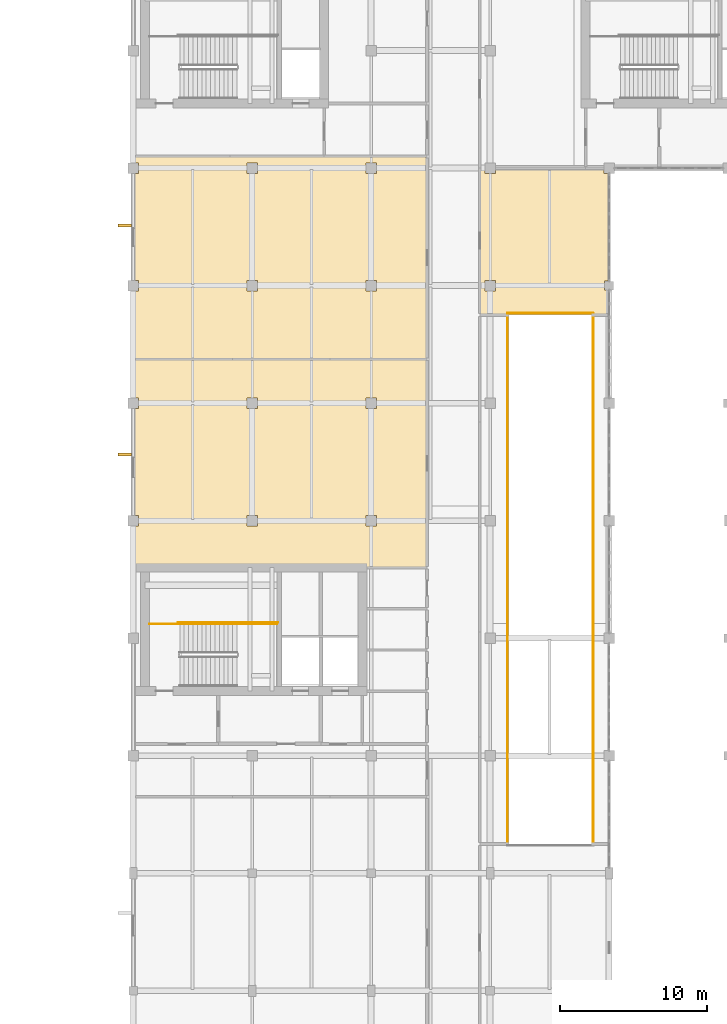
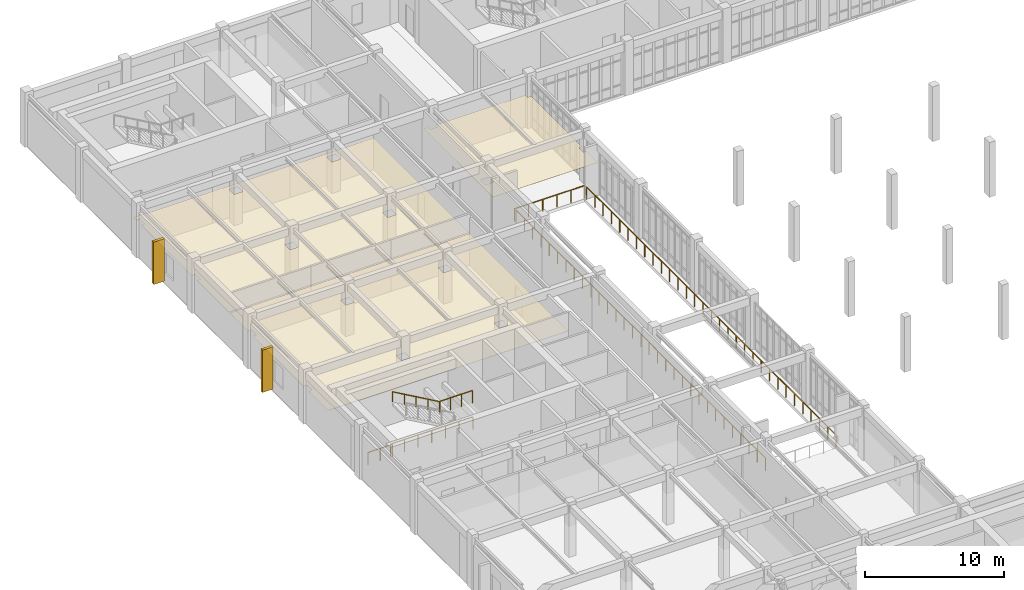
# One storey, part 57 of 61: 7 railings, 3 coverings, 2 shading devices.
"""IFC4 building model written with IfcOpenShell, lengths in metres."""

import ifcopenshell
import ifcopenshell.guid

model = None  # the IFC model being written
_history = None  # IfcOwnerHistory: only IFC2X3 demands one
_inside = {}  # id of a spatial element -> (the spatial element, [elements in it])
_under = {}  # id of a project, library or spatial element -> (it, [spatial elements below it])
_declared = {}  # id of a project -> (the project, [libraries it declares])
_typed = {}  # id of a type object -> (the type object, [elements of that type])
_made_of = {}  # id of a material, layer set ... -> (it, [elements and type objects made of it])


def new_model(schema):
    """Start an empty IFC model of exactly this schema.

    Asked for "IFC4X3", IfcOpenShell would pick the latest addendum, in which some entities
    have other attributes; the version numbers below select the first issue.
    IFC2X3 requires an IfcOwnerHistory on every rooted entity: one is made here for all.
    """
    global model, _history
    if schema == "IFC4X3":
        model = ifcopenshell.file(schema_version=(4, 3, 0, 0))
    else:
        model = ifcopenshell.file(schema=schema)
    _inside.clear()
    _under.clear()
    _declared.clear()
    _typed.clear()
    _made_of.clear()
    _history = None
    if model.schema == "IFC2X3":
        org = make("IfcOrganization", Name="unknown")
        user = make(
            "IfcPersonAndOrganization",
            ThePerson=make("IfcPerson", FamilyName="unknown"),
            TheOrganization=org,
        )
        app = make(
            "IfcApplication",
            ApplicationDeveloper=org,
            Version="unknown",
            ApplicationFullName="unknown",
            ApplicationIdentifier="unknown",
        )
        _history = make(
            "IfcOwnerHistory",
            OwningUser=user,
            OwningApplication=app,
            ChangeAction="ADDED",
            CreationDate=0,
        )
    return model


def make(cls, **values):
    """One entity of the class cls with the attributes given. An attribute that is None is left unset."""
    return model.create_entity(
        cls, **{name: value for name, value in values.items() if value is not None}
    )


def rooted(cls, **values):
    """An entity with a GlobalId (a new one), such as an element, a storey or a relation."""
    return make(cls, GlobalId=ifcopenshell.guid.new(), OwnerHistory=_history, **values)


def si_unit(unit_type, name, prefix=None):
    """IfcSIUnit, for example si_unit("LENGTHUNIT", "METRE", prefix="MILLI")."""
    return make("IfcSIUnit", UnitType=unit_type, Prefix=prefix, Name=name)


def assignment(units):
    """IfcUnitAssignment: the units of a project."""
    return None if units is None else make("IfcUnitAssignment", Units=units)


def point(xyz):
    """IfcCartesianPoint."""
    return None if xyz is None else make("IfcCartesianPoint", Coordinates=xyz)


def direction(xyz):
    """IfcDirection."""
    return None if xyz is None else make("IfcDirection", DirectionRatios=xyz)


def frame(location, z_axis=None, x_axis=None):
    """IfcAxis2Placement3D, a coordinate frame: its origin and axes. An axis left out is left unset."""
    return make(
        "IfcAxis2Placement3D",
        Location=point(location),
        Axis=direction(z_axis),
        RefDirection=direction(x_axis),
    )


def frame_2d(location, x_axis=None):
    """IfcAxis2Placement2D, a coordinate frame in the plane: its origin and x axis."""
    return make(
        "IfcAxis2Placement2D", Location=point(location), RefDirection=direction(x_axis)
    )


def origin():
    """The frame at (0, 0, 0) with its axes left unset."""
    return frame((0.0, 0.0, 0.0))


def origin_2d():
    """The frame at (0, 0) in the plane with its x axis left unset."""
    return frame_2d((0.0, 0.0))


def place(relative_to, where):
    """IfcLocalPlacement: puts the frame where relative to a parent placement (None: the world)."""
    return make(
        "IfcLocalPlacement", PlacementRelTo=relative_to, RelativePlacement=where
    )


def context(
    kind, dimensions, precision=None, world=None, true_north=None, identifier=None
):
    """IfcGeometricRepresentationContext, for example the 3D "Model" context."""
    return make(
        "IfcGeometricRepresentationContext",
        ContextIdentifier=identifier,
        ContextType=kind,
        CoordinateSpaceDimension=dimensions,
        Precision=precision,
        WorldCoordinateSystem=world,
        TrueNorth=true_north,
    )


def subcontext(parent, identifier, kind, view, scale=None):
    """IfcGeometricRepresentationSubContext, for example "Body" below "Model"."""
    return make(
        "IfcGeometricRepresentationSubContext",
        ContextIdentifier=identifier,
        ContextType=kind,
        ParentContext=parent,
        TargetScale=scale,
        TargetView=view,
    )


def project(units=None, contexts=None):
    """IfcProject with its units and contexts."""
    return rooted(
        "IfcProject",
        Name="project",
        RepresentationContexts=contexts,
        UnitsInContext=assignment(units),
    )


def spatial(cls, under=None, at=None, **own):
    """A site, building, storey or space (cls), placed at a placement, below another one or the project."""
    s = rooted(cls, ObjectPlacement=at, **own)
    if under is not None:
        _under.setdefault(under.id(), (under, []))[1].append(s)
    return s


def polyline(points):
    """IfcPolyline through the points."""
    return make("IfcPolyline", Points=[point(p) for p in points])


def profile(cls, at=None, kind="AREA", **sizes):
    """A parametric profile (cls). Its sizes go by their IFC names, for example OverallWidth=200.0."""
    return make(cls, ProfileType=kind, Position=at, **sizes)


def rectangle(**sizes):
    """IfcRectangleProfileDef."""
    return profile("IfcRectangleProfileDef", **sizes)


def circle(**sizes):
    """IfcCircleProfileDef."""
    return profile("IfcCircleProfileDef", **sizes)


def outline(outer, holes=None, kind="AREA"):
    """IfcArbitraryClosedProfileDef: a profile drawn as a closed curve; with holes, ...WithVoids."""
    if holes is None:
        return make("IfcArbitraryClosedProfileDef", ProfileType=kind, OuterCurve=outer)
    return make(
        "IfcArbitraryProfileDefWithVoids",
        ProfileType=kind,
        OuterCurve=outer,
        InnerCurves=holes,
    )


def extrude(swept, where, along, depth):
    """IfcExtrudedAreaSolid: the profile swept, set in the frame where, extruded along a direction by depth."""
    return make(
        "IfcExtrudedAreaSolid",
        SweptArea=swept,
        Position=where,
        ExtrudedDirection=direction(along),
        Depth=depth,
    )


def shape(context_of_items, identifier, shape_type, items):
    """IfcShapeRepresentation: the items that make up one representation, for example the "Body"."""
    return make(
        "IfcShapeRepresentation",
        ContextOfItems=context_of_items,
        RepresentationIdentifier=identifier,
        RepresentationType=shape_type,
        Items=items,
    )


def material(Name=None, Category=None):
    """IfcMaterial."""
    return make("IfcMaterial", Name=Name, Category=Category)


def layer(
    of_material, thickness, ventilated=None, Name=None, Category=None, Priority=None
):
    """IfcMaterialLayer: one layer of a wall or slab, of a material (None: an air gap)."""
    return make(
        "IfcMaterialLayer",
        Material=of_material,
        LayerThickness=thickness,
        IsVentilated=ventilated,
        Name=Name,
        Category=Category,
        Priority=Priority,
    )


def layer_set(layers, Name=None):
    """IfcMaterialLayerSet."""
    return make("IfcMaterialLayerSet", MaterialLayers=layers, LayerSetName=Name)


def material_profile(
    of_material, cross_section, Name=None, Category=None, Priority=None
):
    """IfcMaterialProfile: a cross section and its material."""
    return make(
        "IfcMaterialProfile",
        Name=Name,
        Material=of_material,
        Profile=cross_section,
        Priority=Priority,
        Category=Category,
    )


def profile_set(profiles, Name=None, composite=None):
    """IfcMaterialProfileSet."""
    return make(
        "IfcMaterialProfileSet",
        Name=Name,
        MaterialProfiles=profiles,
        CompositeProfile=composite,
    )


def made_of(thing, what):
    """Note that an element or type object is made of a material, layer set ...; save() writes the relation."""
    if what is not None:
        _made_of.setdefault(what.id(), (what, []))[1].append(thing)
    return thing


def type_object(cls, material=None, **own):
    """A type object (cls), such as IfcWallType, which elements share."""
    return made_of(rooted(cls, **own), material)


def element(
    cls,
    number,
    at=None,
    inside=None,
    cuts=None,
    type_object=None,
    material=None,
    context=None,
    identifier="Body",
    shape_type=None,
    held_by="IfcProductDefinitionShape",
    body=None,
    shapes=None,
    **own,
):
    """One element of the class cls, such as IfcWall. Its Tag is "e" and its number.

    at: its placement. inside: the storey or other place that contains it. cuts: it is an
    opening in that element (IfcRelVoidsElement). A single representation is given by context,
    identifier, shape_type and body (its items); several are given by shapes. held_by: the class
    of the entity that holds the representations. save() writes the other relations.
    """
    e = rooted(cls, Tag="e%d" % number, ObjectPlacement=at, **own)
    if body is not None:
        shapes = [shape(context, identifier, shape_type, body)]
    if shapes is not None:
        e.Representation = make(held_by, Representations=shapes)
    if inside is not None:
        _inside.setdefault(inside.id(), (inside, []))[1].append(e)
    if cuts is not None:
        rooted(
            "IfcRelVoidsElement", RelatingBuildingElement=cuts, RelatedOpeningElement=e
        )
    if type_object is not None:
        _typed.setdefault(type_object.id(), (type_object, []))[1].append(e)
    return made_of(e, material)


def aggregate(whole, parts):
    """IfcRelAggregates: a whole, such as a stair, and the parts it consists of."""
    return rooted("IfcRelAggregates", RelatingObject=whole, RelatedObjects=parts)


def save(model, path):
    """Write the relations noted so far, then the file.

    IfcRelAggregates (storeys below a building ...), IfcRelContainedInSpatialStructure (elements
    in a storey), IfcRelDefinesByType, IfcRelAssociatesMaterial and IfcRelDeclares: one each for
    every whole, place, type object, material and project.
    """
    for whole, parts in _under.values():
        aggregate(whole, parts)
    for where, things in _inside.values():
        rooted(
            "IfcRelContainedInSpatialStructure",
            RelatedElements=things,
            RelatingStructure=where,
        )
    for kind, things in _typed.values():
        rooted("IfcRelDefinesByType", RelatedObjects=things, RelatingType=kind)
    for what, things in _made_of.values():
        rooted("IfcRelAssociatesMaterial", RelatedObjects=things, RelatingMaterial=what)
    for by, libraries in _declared.values():
        rooted("IfcRelDeclares", RelatingContext=by, RelatedDefinitions=libraries)
    model.write(path)


model = new_model("IFC4")

# Units and contexts
model_context = context("Model", 3, precision=1e-05, world=origin(), true_north=direction((0.0, 1.0)))
body_context = subcontext(model_context, "Body", "Model", "MODEL_VIEW")
ifc_project = project(units=[si_unit("LENGTHUNIT", "METRE"), si_unit("AREAUNIT", "SQUARE_METRE"), si_unit("VOLUMEUNIT", "CUBIC_METRE"), si_unit("PLANEANGLEUNIT", "RADIAN"), si_unit("MASSUNIT", "GRAM", prefix="KILO")], contexts=[model_context])

# Site, building, storey
site_placement = place(None, origin())
site = spatial("IfcSite", under=ifc_project, at=site_placement, CompositionType="ELEMENT")
building_placement = place(site_placement, origin())
building = spatial("IfcBuilding", under=site, at=building_placement, Name="Tarnveldt Square Police Headquarters", CompositionType="ELEMENT")
storey_placement = place(building_placement, frame((0.0, 0.0, 5.39990234375)))
storey = spatial("IfcBuildingStorey", under=building, at=storey_placement, Name="L01", CompositionType="ELEMENT", Elevation=5.39990234375)

# Coverings
ifc_material_1 = material(Name="Mineral-fibre acoustic ceiling tile", Category="gypsum")
ifc_layer = layer(ifc_material_1, 0.02001953125)
ifc_layer_set = layer_set([ifc_layer], Name="Mineral-fibre acoustic ceiling tile")
covering_type = type_object("IfcCoveringType", Name="COV-CEIL-20", PredefinedType="CEILING", material=ifc_layer_set)
covering_1_placement = place(storey_placement, frame((0.0, 0.0, 2.75)))
element("IfcCovering", 1, at=covering_1_placement, inside=storey, type_object=covering_type, Name="Victim Family Consultation Lounge Acoustic Ceiling", PredefinedType="CEILING", context=body_context, shape_type="SweptSolid", body=[
    extrude(outline(polyline([(48.550048828125, 86.050048828125), (39.85009765625, 86.050048828125), (39.85009765625, 95.949951171875), (40.14794921875, 95.949951171875), (40.14794921875, 95.64794921875), (40.85205078125, 95.64794921875), (40.85205078125, 95.949951171875), (48.248046875, 95.949951171875), (48.248046875, 95.64794921875), (48.550048828125, 95.64794921875), (48.550048828125, 88.302001953125), (48.298095703125, 88.302001953125), (48.298095703125, 87.697998046875), (48.550048828125, 87.697998046875), (48.550048828125, 86.050048828125)]), holes=[polyline([(40.85205078125, 88.35205078125), (40.14794921875, 88.35205078125), (40.14794921875, 87.64794921875), (40.85205078125, 87.64794921875), (40.85205078125, 88.35205078125)])]), origin(), (0.0, 0.0, 1.0), 0.02001953125),
])
covering_2_placement = place(storey_placement, frame((0.0, 0.0, 2.75)))
element("IfcCovering", 2, at=covering_2_placement, inside=storey, type_object=covering_type, Name="Collision Forensics Analysis Unit Acoustic Ceiling", PredefinedType="CEILING", context=body_context, shape_type="SweptSolid", body=[
    extrude(outline(polyline([(16.25, 82.949951171875), (36.14990234375, 82.949951171875), (36.14990234375, 68.85009765625), (16.25, 68.85009765625), (16.25, 71.64794921875), (16.552001953125, 71.64794921875), (16.552001953125, 72.35205078125), (16.25, 72.35205078125), (16.25, 79.64794921875), (16.552001953125, 79.64794921875), (16.552001953125, 80.35205078125), (16.25, 80.35205078125), (16.25, 82.949951171875)]), holes=[polyline([(32.751953125, 72.35205078125), (32.048095703125, 72.35205078125), (32.048095703125, 71.64794921875), (32.751953125, 71.64794921875), (32.751953125, 72.35205078125)]), polyline([(32.048095703125, 80.35205078125), (32.048095703125, 79.64794921875), (32.751953125, 79.64794921875), (32.751953125, 80.35205078125), (32.048095703125, 80.35205078125)]), polyline([(23.947998046875, 80.35205078125), (23.947998046875, 79.64794921875), (24.652099609375, 79.64794921875), (24.652099609375, 80.35205078125), (23.947998046875, 80.35205078125)]), polyline([(24.652099609375, 72.35205078125), (23.947998046875, 72.35205078125), (23.947998046875, 71.64794921875), (24.652099609375, 71.64794921875), (24.652099609375, 72.35205078125)])]), origin(), (0.0, 0.0, 1.0), 0.02001953125),
])
covering_3_placement = place(storey_placement, frame((0.0, 0.0, 2.75)))
element("IfcCovering", 3, at=covering_3_placement, inside=storey, type_object=covering_type, Name="Patrol Platoon Locker Room Acoustic Ceiling", PredefinedType="CEILING", context=body_context, shape_type="SweptSolid", body=[
    extrude(outline(polyline([(16.25, 96.75), (36.14990234375, 96.75), (36.14990234375, 83.050048828125), (16.25, 83.050048828125), (16.25, 87.64794921875), (16.552001953125, 87.64794921875), (16.552001953125, 88.35205078125), (16.25, 88.35205078125), (16.25, 95.64794921875), (16.552001953125, 95.64794921875), (16.552001953125, 96.35205078125), (16.25, 96.35205078125), (16.25, 96.75)]), holes=[polyline([(32.751953125, 96.35205078125), (32.048095703125, 96.35205078125), (32.048095703125, 95.64794921875), (32.751953125, 95.64794921875), (32.751953125, 96.35205078125)]), polyline([(32.048095703125, 88.35205078125), (32.048095703125, 87.64794921875), (32.751953125, 87.64794921875), (32.751953125, 88.35205078125), (32.048095703125, 88.35205078125)]), polyline([(24.652099609375, 96.35205078125), (23.947998046875, 96.35205078125), (23.947998046875, 95.64794921875), (24.652099609375, 95.64794921875), (24.652099609375, 96.35205078125)]), polyline([(23.947998046875, 88.35205078125), (23.947998046875, 87.64794921875), (24.652099609375, 87.64794921875), (24.652099609375, 88.35205078125), (23.947998046875, 88.35205078125)])]), origin(), (0.0, 0.0, 1.0), 0.02001953125),
])

# Railings
ifc_material_2 = material(Name="Steel 350W", Category="steel")
railing_type_1 = type_object("IfcRailingType", Name="RL-GR-1100", PredefinedType="GUARDRAIL", material=ifc_material_2)
railing_1_placement = place(storey_placement, frame((23.27001953125, 64.969970703125, 2.400146484375)))
element("IfcRailing", 4, at=railing_1_placement, inside=storey, type_object=railing_type_1, Name="L01 ST1 stair guard 3", PredefinedType="GUARDRAIL", context=body_context, shape_type="SweptSolid", body=[
    extrude(circle(Radius=0.02392578125, at=origin_2d()), frame((0.0, 0.0, 1.076171875), z_axis=(1.0, 0.0, 0.0), x_axis=(0.0, 1.0, 0.0)), (0.0, 0.0, 1.0), 2.699951171875),
    extrude(circle(Radius=0.02099609375, at=origin_2d()), origin(), (0.0, 0.0, 1.0), 1.052001953125),
    extrude(circle(Radius=0.02099609375, at=origin_2d()), frame((0.89990234375, 0.0, 0.0)), (0.0, 0.0, 1.0), 1.052001953125),
    extrude(circle(Radius=0.02099609375, at=origin_2d()), frame((1.800048828125, 0.0, 0.0)), (0.0, 0.0, 1.0), 1.052001953125),
    extrude(circle(Radius=0.02099609375, at=origin_2d()), frame((2.699951171875, 0.0, 0.0)), (0.0, 0.0, 1.0), 1.052001953125),
])
railing_2_placement = place(storey_placement, frame((17.320068359375, 64.969970703125, 0.0)))
element("IfcRailing", 5, at=railing_2_placement, inside=storey, type_object=railing_type_1, Name="L01 ST1 stair guard 6", PredefinedType="GUARDRAIL", context=body_context, shape_type="SweptSolid", body=[
    extrude(circle(Radius=0.02392578125, at=origin_2d()), frame((0.0, 0.0, 1.076171875), z_axis=(1.0, 0.0, 0.0), x_axis=(0.0, 1.0, 0.0)), (0.0, 0.0, 1.0), 2.050048828125),
    extrude(circle(Radius=0.02099609375, at=origin_2d()), origin(), (0.0, 0.0, 1.0), 1.052001953125),
    extrude(circle(Radius=0.02099609375, at=origin_2d()), frame((1.02490234375, 0.0, 0.0)), (0.0, 0.0, 1.0), 1.052001953125),
    extrude(circle(Radius=0.02099609375, at=origin_2d()), frame((2.050048828125, 0.0, 0.0)), (0.0, 0.0, 1.0), 1.052001953125),
])
railing_3_placement = place(storey_placement, frame((19.27001953125, 65.070068359375, 0.0)))
element("IfcRailing", 6, at=railing_3_placement, inside=storey, type_object=railing_type_1, Name="L01 ST1 stair guard 7", PredefinedType="GUARDRAIL", context=body_context, shape_type="SweptSolid", body=[
    extrude(circle(Radius=0.02392578125, at=origin_2d()), frame((0.0, 0.0, 1.076171875), z_axis=(1.0, 0.0, 0.0), x_axis=(0.0, 1.0, 0.0)), (0.0, 0.0, 1.0), 6.800048828125),
    extrude(circle(Radius=0.02099609375, at=origin_2d()), origin(), (0.0, 0.0, 1.0), 1.052001953125),
    extrude(circle(Radius=0.02099609375, at=origin_2d()), frame((1.13330078125, 0.0, 0.0)), (0.0, 0.0, 1.0), 1.052001953125),
    extrude(circle(Radius=0.02099609375, at=origin_2d()), frame((2.2666015625, 0.0, 0.0)), (0.0, 0.0, 1.0), 1.052001953125),
    extrude(circle(Radius=0.02099609375, at=origin_2d()), frame((3.39990234375, 0.0, 0.0)), (0.0, 0.0, 1.0), 1.052001953125),
    extrude(circle(Radius=0.02099609375, at=origin_2d()), frame((4.533447265625, 0.0, 0.0)), (0.0, 0.0, 1.0), 1.052001953125),
    extrude(circle(Radius=0.02099609375, at=origin_2d()), frame((5.666748046875, 0.0, 0.0)), (0.0, 0.0, 1.0), 1.052001953125),
    extrude(circle(Radius=0.02099609375, at=origin_2d()), frame((6.800048828125, 0.0, 0.0)), (0.0, 0.0, 1.0), 1.052001953125),
])
railing_4_placement = place(storey_placement, frame((47.52001953125, 50.090087890625, 0.0)))
element("IfcRailing", 7, at=railing_4_placement, inside=storey, type_object=railing_type_1, Name="L01 WG-ATRIUM-1 Atrium Overlook Guardrail E2", PredefinedType="GUARDRAIL", context=body_context, shape_type="SweptSolid", body=[
    extrude(circle(Radius=0.02392578125, at=origin_2d()), frame((0.0, 0.0, 1.076171875), z_axis=(0.0, 1.0, 0.0), x_axis=(-1.0, 0.0, 0.0)), (0.0, 0.0, 1.0), 35.81982421875),
    extrude(circle(Radius=0.02099609375, at=origin_2d()), origin(), (0.0, 0.0, 1.0), 1.052001953125),
    extrude(circle(Radius=0.02099609375, at=origin_2d()), frame((0.0, 1.194091796875, 0.0)), (0.0, 0.0, 1.0), 1.052001953125),
    extrude(circle(Radius=0.02099609375, at=origin_2d()), frame((0.0, 2.387939453125, 0.0)), (0.0, 0.0, 1.0), 1.052001953125),
    extrude(circle(Radius=0.02099609375, at=origin_2d()), frame((0.0, 3.58203125, 0.0)), (0.0, 0.0, 1.0), 1.052001953125),
    extrude(circle(Radius=0.02099609375, at=origin_2d()), frame((0.0, 4.77587890625, 0.0)), (0.0, 0.0, 1.0), 1.052001953125),
    extrude(circle(Radius=0.02099609375, at=origin_2d()), frame((0.0, 5.969970703125, 0.0)), (0.0, 0.0, 1.0), 1.052001953125),
    extrude(circle(Radius=0.02099609375, at=origin_2d()), frame((0.0, 7.1640625, 0.0)), (0.0, 0.0, 1.0), 1.052001953125),
    extrude(circle(Radius=0.02099609375, at=origin_2d()), frame((0.0, 8.35791015625, 0.0)), (0.0, 0.0, 1.0), 1.052001953125),
    extrude(circle(Radius=0.02099609375, at=origin_2d()), frame((0.0, 9.552001953125, 0.0)), (0.0, 0.0, 1.0), 1.052001953125),
    extrude(circle(Radius=0.02099609375, at=origin_2d()), frame((0.0, 10.745849609375, 0.0)), (0.0, 0.0, 1.0), 1.052001953125),
    extrude(circle(Radius=0.02099609375, at=origin_2d()), frame((0.0, 11.93994140625, 0.0)), (0.0, 0.0, 1.0), 1.052001953125),
    extrude(circle(Radius=0.02099609375, at=origin_2d()), frame((0.0, 13.134033203125, 0.0)), (0.0, 0.0, 1.0), 1.052001953125),
    extrude(circle(Radius=0.02099609375, at=origin_2d()), frame((0.0, 14.327880859375, 0.0)), (0.0, 0.0, 1.0), 1.052001953125),
    extrude(circle(Radius=0.02099609375, at=origin_2d()), frame((0.0, 15.52197265625, 0.0)), (0.0, 0.0, 1.0), 1.052001953125),
    extrude(circle(Radius=0.02099609375, at=origin_2d()), frame((0.0, 16.7158203125, 0.0)), (0.0, 0.0, 1.0), 1.052001953125),
    extrude(circle(Radius=0.02099609375, at=origin_2d()), frame((0.0, 17.909912109375, 0.0)), (0.0, 0.0, 1.0), 1.052001953125),
    extrude(circle(Radius=0.02099609375, at=origin_2d()), frame((0.0, 19.10400390625, 0.0)), (0.0, 0.0, 1.0), 1.052001953125),
    extrude(circle(Radius=0.02099609375, at=origin_2d()), frame((0.0, 20.2978515625, 0.0)), (0.0, 0.0, 1.0), 1.052001953125),
    extrude(circle(Radius=0.02099609375, at=origin_2d()), frame((0.0, 21.491943359375, 0.0)), (0.0, 0.0, 1.0), 1.052001953125),
    extrude(circle(Radius=0.02099609375, at=origin_2d()), frame((0.0, 22.685791015625, 0.0)), (0.0, 0.0, 1.0), 1.052001953125),
    extrude(circle(Radius=0.02099609375, at=origin_2d()), frame((0.0, 23.8798828125, 0.0)), (0.0, 0.0, 1.0), 1.052001953125),
    extrude(circle(Radius=0.02099609375, at=origin_2d()), frame((0.0, 25.073974609375, 0.0)), (0.0, 0.0, 1.0), 1.052001953125),
    extrude(circle(Radius=0.02099609375, at=origin_2d()), frame((0.0, 26.267822265625, 0.0)), (0.0, 0.0, 1.0), 1.052001953125),
    extrude(circle(Radius=0.02099609375, at=origin_2d()), frame((0.0, 27.4619140625, 0.0)), (0.0, 0.0, 1.0), 1.052001953125),
    extrude(circle(Radius=0.02099609375, at=origin_2d()), frame((0.0, 28.65576171875, 0.0)), (0.0, 0.0, 1.0), 1.052001953125),
    extrude(circle(Radius=0.02099609375, at=origin_2d()), frame((0.0, 29.849853515625, 0.0)), (0.0, 0.0, 1.0), 1.052001953125),
    extrude(circle(Radius=0.02099609375, at=origin_2d()), frame((0.0, 31.0439453125, 0.0)), (0.0, 0.0, 1.0), 1.052001953125),
    extrude(circle(Radius=0.02099609375, at=origin_2d()), frame((0.0, 32.23779296875, 0.0)), (0.0, 0.0, 1.0), 1.052001953125),
    extrude(circle(Radius=0.02099609375, at=origin_2d()), frame((0.0, 33.431884765625, 0.0)), (0.0, 0.0, 1.0), 1.052001953125),
    extrude(circle(Radius=0.02099609375, at=origin_2d()), frame((0.0, 34.625732421875, 0.0)), (0.0, 0.0, 1.0), 1.052001953125),
    extrude(circle(Radius=0.02099609375, at=origin_2d()), frame((0.0, 35.81982421875, 0.0)), (0.0, 0.0, 1.0), 1.052001953125),
])
railing_5_placement = place(storey_placement, frame((47.52001953125, 86.1201171875, 0.0)))
element("IfcRailing", 8, at=railing_5_placement, inside=storey, type_object=railing_type_1, Name="L01 WG-ATRIUM-1 Atrium Overlook Guardrail N1", PredefinedType="GUARDRAIL", context=body_context, shape_type="SweptSolid", body=[
    extrude(circle(Radius=0.02392578125, at=origin_2d()), frame((0.0, 0.0, 1.076171875), z_axis=(-1.0, 0.0, 0.0), x_axis=(0.0, -1.0, 0.0)), (0.0, 0.0, 1.0), 5.840087890625),
    extrude(circle(Radius=0.02099609375, at=origin_2d()), origin(), (0.0, 0.0, 1.0), 1.052001953125),
    extrude(circle(Radius=0.02099609375, at=origin_2d()), frame((-1.16796875, 0.0, 0.0)), (0.0, 0.0, 1.0), 1.052001953125),
    extrude(circle(Radius=0.02099609375, at=origin_2d()), frame((-2.3359375, 0.0, 0.0)), (0.0, 0.0, 1.0), 1.052001953125),
    extrude(circle(Radius=0.02099609375, at=origin_2d()), frame((-3.504150390625, 0.0, 0.0)), (0.0, 0.0, 1.0), 1.052001953125),
    extrude(circle(Radius=0.02099609375, at=origin_2d()), frame((-4.672119140625, 0.0, 0.0)), (0.0, 0.0, 1.0), 1.052001953125),
    extrude(circle(Radius=0.02099609375, at=origin_2d()), frame((-5.840087890625, 0.0, 0.0)), (0.0, 0.0, 1.0), 1.052001953125),
])
railing_6_placement = place(storey_placement, frame((41.679931640625, 85.909912109375, 0.0)))
element("IfcRailing", 9, at=railing_6_placement, inside=storey, type_object=railing_type_1, Name="L01 WG-ATRIUM-1 Atrium Overlook Guardrail W2", PredefinedType="GUARDRAIL", context=body_context, shape_type="SweptSolid", body=[
    extrude(circle(Radius=0.02392578125, at=origin_2d()), frame((0.0, 0.0, 1.076171875), z_axis=(0.0, -1.0, 0.0), x_axis=(1.0, 0.0, 0.0)), (0.0, 0.0, 1.0), 35.81982421875),
    extrude(circle(Radius=0.02099609375, at=origin_2d()), origin(), (0.0, 0.0, 1.0), 1.052001953125),
    extrude(circle(Radius=0.02099609375, at=origin_2d()), frame((0.0, -1.194091796875, 0.0)), (0.0, 0.0, 1.0), 1.052001953125),
    extrude(circle(Radius=0.02099609375, at=origin_2d()), frame((0.0, -2.387939453125, 0.0)), (0.0, 0.0, 1.0), 1.052001953125),
    extrude(circle(Radius=0.02099609375, at=origin_2d()), frame((0.0, -3.58203125, 0.0)), (0.0, 0.0, 1.0), 1.052001953125),
    extrude(circle(Radius=0.02099609375, at=origin_2d()), frame((0.0, -4.77587890625, 0.0)), (0.0, 0.0, 1.0), 1.052001953125),
    extrude(circle(Radius=0.02099609375, at=origin_2d()), frame((0.0, -5.969970703125, 0.0)), (0.0, 0.0, 1.0), 1.052001953125),
    extrude(circle(Radius=0.02099609375, at=origin_2d()), frame((0.0, -7.1640625, 0.0)), (0.0, 0.0, 1.0), 1.052001953125),
    extrude(circle(Radius=0.02099609375, at=origin_2d()), frame((0.0, -8.35791015625, 0.0)), (0.0, 0.0, 1.0), 1.052001953125),
    extrude(circle(Radius=0.02099609375, at=origin_2d()), frame((0.0, -9.552001953125, 0.0)), (0.0, 0.0, 1.0), 1.052001953125),
    extrude(circle(Radius=0.02099609375, at=origin_2d()), frame((0.0, -10.745849609375, 0.0)), (0.0, 0.0, 1.0), 1.052001953125),
    extrude(circle(Radius=0.02099609375, at=origin_2d()), frame((0.0, -11.93994140625, 0.0)), (0.0, 0.0, 1.0), 1.052001953125),
    extrude(circle(Radius=0.02099609375, at=origin_2d()), frame((0.0, -13.134033203125, 0.0)), (0.0, 0.0, 1.0), 1.052001953125),
    extrude(circle(Radius=0.02099609375, at=origin_2d()), frame((0.0, -14.327880859375, 0.0)), (0.0, 0.0, 1.0), 1.052001953125),
    extrude(circle(Radius=0.02099609375, at=origin_2d()), frame((0.0, -15.52197265625, 0.0)), (0.0, 0.0, 1.0), 1.052001953125),
    extrude(circle(Radius=0.02099609375, at=origin_2d()), frame((0.0, -16.7158203125, 0.0)), (0.0, 0.0, 1.0), 1.052001953125),
    extrude(circle(Radius=0.02099609375, at=origin_2d()), frame((0.0, -17.909912109375, 0.0)), (0.0, 0.0, 1.0), 1.052001953125),
    extrude(circle(Radius=0.02099609375, at=origin_2d()), frame((0.0, -19.10400390625, 0.0)), (0.0, 0.0, 1.0), 1.052001953125),
    extrude(circle(Radius=0.02099609375, at=origin_2d()), frame((0.0, -20.2978515625, 0.0)), (0.0, 0.0, 1.0), 1.052001953125),
    extrude(circle(Radius=0.02099609375, at=origin_2d()), frame((0.0, -21.491943359375, 0.0)), (0.0, 0.0, 1.0), 1.052001953125),
    extrude(circle(Radius=0.02099609375, at=origin_2d()), frame((0.0, -22.685791015625, 0.0)), (0.0, 0.0, 1.0), 1.052001953125),
    extrude(circle(Radius=0.02099609375, at=origin_2d()), frame((0.0, -23.8798828125, 0.0)), (0.0, 0.0, 1.0), 1.052001953125),
    extrude(circle(Radius=0.02099609375, at=origin_2d()), frame((0.0, -25.073974609375, 0.0)), (0.0, 0.0, 1.0), 1.052001953125),
    extrude(circle(Radius=0.02099609375, at=origin_2d()), frame((0.0, -26.267822265625, 0.0)), (0.0, 0.0, 1.0), 1.052001953125),
    extrude(circle(Radius=0.02099609375, at=origin_2d()), frame((0.0, -27.4619140625, 0.0)), (0.0, 0.0, 1.0), 1.052001953125),
    extrude(circle(Radius=0.02099609375, at=origin_2d()), frame((0.0, -28.65576171875, 0.0)), (0.0, 0.0, 1.0), 1.052001953125),
    extrude(circle(Radius=0.02099609375, at=origin_2d()), frame((0.0, -29.849853515625, 0.0)), (0.0, 0.0, 1.0), 1.052001953125),
    extrude(circle(Radius=0.02099609375, at=origin_2d()), frame((0.0, -31.0439453125, 0.0)), (0.0, 0.0, 1.0), 1.052001953125),
    extrude(circle(Radius=0.02099609375, at=origin_2d()), frame((0.0, -32.23779296875, 0.0)), (0.0, 0.0, 1.0), 1.052001953125),
    extrude(circle(Radius=0.02099609375, at=origin_2d()), frame((0.0, -33.431884765625, 0.0)), (0.0, 0.0, 1.0), 1.052001953125),
    extrude(circle(Radius=0.02099609375, at=origin_2d()), frame((0.0, -34.625732421875, 0.0)), (0.0, 0.0, 1.0), 1.052001953125),
    extrude(circle(Radius=0.02099609375, at=origin_2d()), frame((0.0, -35.81982421875, 0.0)), (0.0, 0.0, 1.0), 1.052001953125),
])
railing_type_2 = type_object("IfcRailingType", Name="RL-HR-900", PredefinedType="HANDRAIL", material=ifc_material_2)
railing_7_placement = place(storey_placement, frame((23.27001953125, 64.969970703125, 2.571533203125)))
element("IfcRailing", 10, at=railing_7_placement, inside=storey, type_object=railing_type_2, Name="L01 ST1 stair handrail 2", PredefinedType="HANDRAIL", context=body_context, shape_type="SweptSolid", body=[
    extrude(circle(Radius=0.02392578125, at=origin_2d()), frame((0.0, 0.0, 0.8759765625), z_axis=(-0.868243142124, 0.0, 0.496138938357), x_axis=(0.0, -1.0, 0.0)), (0.0, 0.0, 1.0), 4.49169921875),
    extrude(circle(Radius=0.02099609375, at=origin_2d()), origin(), (0.0, 0.0, 1.0), 0.851806640625),
    extrude(circle(Radius=0.02099609375, at=origin_2d()), frame((-0.97509765625, 0.0, 0.55712890625)), (0.0, 0.0, 1.0), 0.851806640625),
    extrude(circle(Radius=0.02099609375, at=origin_2d()), frame((-1.949951171875, 0.0, 1.1142578125)), (0.0, 0.0, 1.0), 0.851806640625),
    extrude(circle(Radius=0.02099609375, at=origin_2d()), frame((-2.9248046875, 0.0, 1.67138671875)), (0.0, 0.0, 1.0), 0.851806640625),
    extrude(circle(Radius=0.02099609375, at=origin_2d()), frame((-3.89990234375, 0.0, 2.228515625)), (0.0, 0.0, 1.0), 0.851806640625),
])

# Shading devices
ifc_material_3 = material(Name="Precast concrete 35 MPa", Category="concrete")
ifc_material_profile = material_profile(ifc_material_3, rectangle(XDim=0.219970703125, YDim=0.89990234375, at=origin_2d()), Name="PC-FIN220x900")
ifc_profile_set = profile_set([ifc_material_profile], Name="Precast concrete 35 MPa")
shading_device_type = type_object("IfcShadingDeviceType", Name="SHD-FIN-900", PredefinedType="USERDEFINED", material=ifc_profile_set)
for number, where, z_axis, x_axis, name in (
    (11, (15.6201171875, 92.10009765625, 0.150146484375), (0.0, 0.0, 1.0), (0.0, -1.0, 0.0), "L01 Precast Deep-Reveal Brutalist Fin 011"),
    (12, (15.6201171875, 76.5, 0.150146484375), (0.0, 0.0, 1.0), (0.0, -1.0, 0.0), "L01 Precast Deep-Reveal Brutalist Fin 012"),
):
    element("IfcShadingDevice", number, at=place(storey_placement, frame(where, z_axis=z_axis, x_axis=x_axis)), inside=storey, type_object=shading_device_type, Name=name, ObjectType="SOLAR SHADING FIN", PredefinedType="USERDEFINED", context=body_context, shape_type="SweptSolid", body=[
        extrude(rectangle(XDim=0.219970703125, YDim=0.89990234375, at=origin_2d()), origin(), (0.0, 0.0, 1.0), 3.7119140625),
    ])

save(model, "model.ifc")
